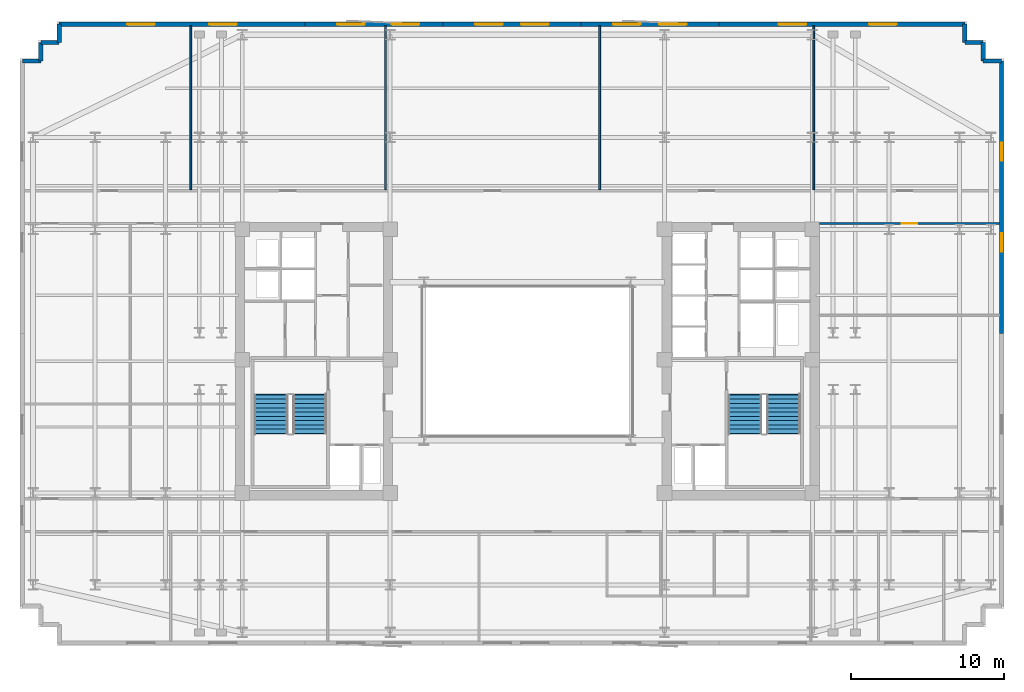
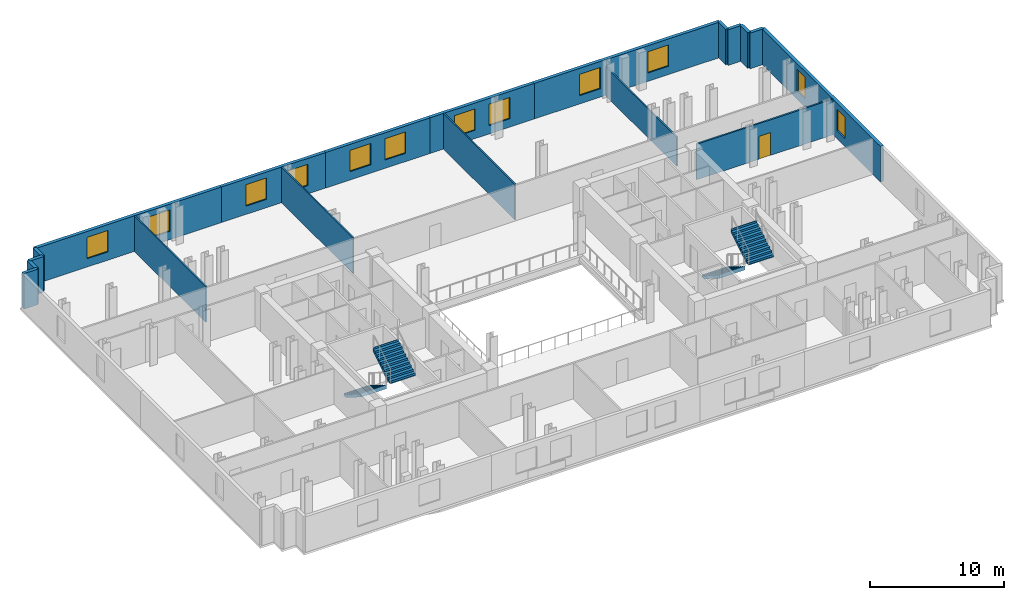
# One storey, part 7 of 9: 19 walls, 12 windows, 4 stair flights, 1 door, 13 openings, 2 elements without a shape of their own.
"""IFC4 building model written with IfcOpenShell, lengths in metres."""

from ifc_helpers import new_model, si_unit, direction, frame, frame_2d, origin, place, context, subcontext, project, spatial, polyline, rectangle, outline, extrude, material, layer, layer_set, type_object, element, fill, aggregate, save


model = new_model("IFC4")

# Units and contexts
model_context = context("Model", 3, precision=1e-05, world=origin(), true_north=direction((0.0, 1.0)))
body_context = subcontext(model_context, "Body", "Model", "MODEL_VIEW")
ifc_project = project(units=[si_unit("LENGTHUNIT", "METRE"), si_unit("AREAUNIT", "SQUARE_METRE"), si_unit("VOLUMEUNIT", "CUBIC_METRE"), si_unit("PLANEANGLEUNIT", "RADIAN"), si_unit("MASSUNIT", "GRAM", prefix="KILO")], contexts=[model_context])

# Site, building, storey
site_placement = place(None, origin())
site = spatial("IfcSite", under=ifc_project, at=site_placement, CompositionType="ELEMENT")
building_placement = place(site_placement, origin())
building = spatial("IfcBuilding", under=site, at=building_placement, Name="Velakula Bourse", CompositionType="ELEMENT")
storey_placement = place(building_placement, frame((0.0, 0.0, 138.10009765625)))
storey = spatial("IfcBuildingStorey", under=building, at=storey_placement, Name="L37", CompositionType="ELEMENT", Elevation=138.10009765625)

# Wall, openings, windows
ifc_material_1 = material(Name="Red kilned clay facing brick masonry", Category="masonry")
ifc_layer_1 = layer(ifc_material_1, 0.280029296875, Name="Red kilned clay facing brick masonry", Category="masonry")
ifc_layer_set_1 = layer_set([ifc_layer_1], Name="Red kilned clay facing brick masonry")
wall_type_1 = type_object("IfcWallType", Name="WL-EXT-BRK-280", PredefinedType="STANDARD", material=ifc_layer_set_1)
wall_1_placement = place(storey_placement, frame((-30.5400390625, 21.989990234375, 0.0), z_axis=(0.0, 0.0, 1.0), x_axis=(1.0, 0.0, 0.0)))
wall_1 = element("IfcWall", 1, at=wall_1_placement, inside=storey, type_object=wall_type_1, Name="L37 N Brick Spandrel Wall B1", PredefinedType="STANDARD", context=body_context, shape_type="SweptSolid", body=[
    extrude(rectangle(XDim=16.0400390625, YDim=0.280029296875, at=frame_2d((8.02001953125, 0.0))), origin(), (0.0, 0.0, 1.0), 3.25),
])
opening_1_placement = place(wall_1_placement, frame((4.44677734375, 0.0, 0.760009765625)))
opening_1 = element("IfcOpeningElement", 2, at=opening_1_placement, cuts=wall_1, Name="Opening W-01", PredefinedType="OPENING", context=body_context, shape_type="SweptSolid", body=[
    extrude(rectangle(XDim=1.800048828125, YDim=1.949951171875, at=frame_2d((0.89990234375, 0.97509765625))), frame((0.0, 0.14990234375, 0.0), z_axis=(0.0, -1.0, 0.0), x_axis=(1.0, 0.0, 0.0)), (0.0, 0.0, 1.0), 0.300048828125),
])
opening_2_placement = place(wall_1_placement, frame((9.793212890625, 0.0, 0.760009765625)))
opening_2 = element("IfcOpeningElement", 3, at=opening_2_placement, cuts=wall_1, Name="Opening W-01", PredefinedType="OPENING", context=body_context, shape_type="SweptSolid", body=[
    extrude(rectangle(XDim=1.800048828125, YDim=1.949951171875, at=frame_2d((0.89990234375, 0.97509765625))), frame((0.0, 0.14990234375, 0.0), z_axis=(0.0, -1.0, 0.0), x_axis=(1.0, 0.0, 0.0)), (0.0, 0.0, 1.0), 0.300048828125),
])
ifc_material_2 = material(Name="Double-glazed solar-control Low-E glass", Category="glass")
window_type_1 = type_object("IfcWindowType", Name="WIN-TWR-1800x2100", PartitioningType="SINGLE_PANEL", PredefinedType="WINDOW", material=ifc_material_2)
window_1_placement = place(opening_1_placement, origin())
window_1 = element("IfcWindow", 4, at=window_1_placement, inside=storey, type_object=window_type_1, Name="L37 Deep-Set Recessed Window 1", OverallHeight=1.949951171875, OverallWidth=1.800048828125, PartitioningType="SINGLE_PANEL", PredefinedType="WINDOW", context=body_context, shape_type="SweptSolid", body=[
    extrude(rectangle(XDim=1.800048828125, YDim=1.949951171875, at=frame_2d((0.89990234375, 0.97509765625))), frame((0.0, 0.030029296875, 0.0), z_axis=(0.0, -1.0, 0.0), x_axis=(1.0, 0.0, 0.0)), (0.0, 0.0, 1.0), 0.06005859375),
])
fill(opening_1, window_1)
window_2_placement = place(opening_2_placement, origin())
window_2 = element("IfcWindow", 5, at=window_2_placement, inside=storey, type_object=window_type_1, Name="L37 Deep-Set Recessed Window 2", OverallHeight=1.949951171875, OverallWidth=1.800048828125, PartitioningType="SINGLE_PANEL", PredefinedType="WINDOW", context=body_context, shape_type="SweptSolid", body=[
    extrude(rectangle(XDim=1.800048828125, YDim=1.949951171875, at=frame_2d((0.89990234375, 0.97509765625))), frame((0.0, 0.030029296875, 0.0), z_axis=(0.0, -1.0, 0.0), x_axis=(1.0, 0.0, 0.0)), (0.0, 0.0, 1.0), 0.06005859375),
])
fill(opening_2, window_2)

wall_2_placement = place(storey_placement, frame((-14.5, 21.989990234375, 0.0), z_axis=(0.0, 0.0, 1.0), x_axis=(1.0, 0.0, 0.0)))
wall_2 = element("IfcWall", 6, at=wall_2_placement, inside=storey, type_object=wall_type_1, Name="L37 N Brick Spandrel Wall B2", PredefinedType="STANDARD", context=body_context, shape_type="SweptSolid", body=[
    extrude(rectangle(XDim=9.0, YDim=0.280029296875, at=frame_2d((4.5, 0.0))), origin(), (0.0, 0.0, 1.0), 3.25),
])
opening_3_placement = place(wall_2_placement, frame((2.10009765625, 0.0, 0.760009765625)))
opening_3 = element("IfcOpeningElement", 7, at=opening_3_placement, cuts=wall_2, Name="Opening W-01", PredefinedType="OPENING", context=body_context, shape_type="SweptSolid", body=[
    extrude(rectangle(XDim=1.800048828125, YDim=1.949951171875, at=frame_2d((0.89990234375, 0.97509765625))), frame((0.0, 0.14990234375, 0.0), z_axis=(0.0, -1.0, 0.0), x_axis=(1.0, 0.0, 0.0)), (0.0, 0.0, 1.0), 0.300048828125),
])
opening_4_placement = place(wall_2_placement, frame((5.64990234375, 0.0, 0.760009765625)))
opening_4 = element("IfcOpeningElement", 8, at=opening_4_placement, cuts=wall_2, Name="Opening W-01", PredefinedType="OPENING", context=body_context, shape_type="SweptSolid", body=[
    extrude(rectangle(XDim=1.800048828125, YDim=1.949951171875, at=frame_2d((0.89990234375, 0.97509765625))), frame((0.0, 0.14990234375, 0.0), z_axis=(0.0, -1.0, 0.0), x_axis=(1.0, 0.0, 0.0)), (0.0, 0.0, 1.0), 0.300048828125),
])
window_3_placement = place(opening_3_placement, origin())
window_3 = element("IfcWindow", 9, at=window_3_placement, inside=storey, type_object=window_type_1, Name="L37 Deep-Set Recessed Window 1", OverallHeight=1.949951171875, OverallWidth=1.800048828125, PartitioningType="SINGLE_PANEL", PredefinedType="WINDOW", context=body_context, shape_type="SweptSolid", body=[
    extrude(rectangle(XDim=1.800048828125, YDim=1.949951171875, at=frame_2d((0.89990234375, 0.97509765625))), frame((0.0, 0.030029296875, 0.0), z_axis=(0.0, -1.0, 0.0), x_axis=(1.0, 0.0, 0.0)), (0.0, 0.0, 1.0), 0.06005859375),
])
fill(opening_3, window_3)
window_4_placement = place(opening_4_placement, origin())
window_4 = element("IfcWindow", 10, at=window_4_placement, inside=storey, type_object=window_type_1, Name="L37 Deep-Set Recessed Window 2", OverallHeight=1.949951171875, OverallWidth=1.800048828125, PartitioningType="SINGLE_PANEL", PredefinedType="WINDOW", context=body_context, shape_type="SweptSolid", body=[
    extrude(rectangle(XDim=1.800048828125, YDim=1.949951171875, at=frame_2d((0.89990234375, 0.97509765625))), frame((0.0, 0.030029296875, 0.0), z_axis=(0.0, -1.0, 0.0), x_axis=(1.0, 0.0, 0.0)), (0.0, 0.0, 1.0), 0.06005859375),
])
fill(opening_4, window_4)

wall_3_placement = place(storey_placement, frame((-5.5, 21.989990234375, 0.0), z_axis=(0.0, 0.0, 1.0), x_axis=(1.0, 0.0, 0.0)))
wall_3 = element("IfcWall", 11, at=wall_3_placement, inside=storey, type_object=wall_type_1, Name="L37 N Brick Spandrel Wall B3", PredefinedType="STANDARD", context=body_context, shape_type="SweptSolid", body=[
    extrude(rectangle(XDim=9.0, YDim=0.280029296875, at=frame_2d((4.5, 0.0))), origin(), (0.0, 0.0, 1.0), 3.25),
])
opening_5_placement = place(wall_3_placement, frame((2.10009765625, 0.0, 0.760009765625)))
opening_5 = element("IfcOpeningElement", 12, at=opening_5_placement, cuts=wall_3, Name="Opening W-01", PredefinedType="OPENING", context=body_context, shape_type="SweptSolid", body=[
    extrude(rectangle(XDim=1.800048828125, YDim=1.949951171875, at=frame_2d((0.89990234375, 0.97509765625))), frame((0.0, 0.14990234375, 0.0), z_axis=(0.0, -1.0, 0.0), x_axis=(1.0, 0.0, 0.0)), (0.0, 0.0, 1.0), 0.300048828125),
])
opening_6_placement = place(wall_3_placement, frame((5.10009765625, 0.0, 0.760009765625)))
opening_6 = element("IfcOpeningElement", 13, at=opening_6_placement, cuts=wall_3, Name="Opening W-01", PredefinedType="OPENING", context=body_context, shape_type="SweptSolid", body=[
    extrude(rectangle(XDim=1.800048828125, YDim=1.949951171875, at=frame_2d((0.89990234375, 0.97509765625))), frame((0.0, 0.14990234375, 0.0), z_axis=(0.0, -1.0, 0.0), x_axis=(1.0, 0.0, 0.0)), (0.0, 0.0, 1.0), 0.300048828125),
])
window_5_placement = place(opening_5_placement, origin())
window_5 = element("IfcWindow", 14, at=window_5_placement, inside=storey, type_object=window_type_1, Name="L37 Deep-Set Recessed Window 1", OverallHeight=1.949951171875, OverallWidth=1.800048828125, PartitioningType="SINGLE_PANEL", PredefinedType="WINDOW", context=body_context, shape_type="SweptSolid", body=[
    extrude(rectangle(XDim=1.800048828125, YDim=1.949951171875, at=frame_2d((0.89990234375, 0.97509765625))), frame((0.0, 0.030029296875, 0.0), z_axis=(0.0, -1.0, 0.0), x_axis=(1.0, 0.0, 0.0)), (0.0, 0.0, 1.0), 0.06005859375),
])
fill(opening_5, window_5)
window_6_placement = place(opening_6_placement, origin())
window_6 = element("IfcWindow", 15, at=window_6_placement, inside=storey, type_object=window_type_1, Name="L37 Deep-Set Recessed Window 2", OverallHeight=1.949951171875, OverallWidth=1.800048828125, PartitioningType="SINGLE_PANEL", PredefinedType="WINDOW", context=body_context, shape_type="SweptSolid", body=[
    extrude(rectangle(XDim=1.800048828125, YDim=1.949951171875, at=frame_2d((0.89990234375, 0.97509765625))), frame((0.0, 0.030029296875, 0.0), z_axis=(0.0, -1.0, 0.0), x_axis=(1.0, 0.0, 0.0)), (0.0, 0.0, 1.0), 0.06005859375),
])
fill(opening_6, window_6)

wall_4_placement = place(storey_placement, frame((3.5, 21.989990234375, 0.0), z_axis=(0.0, 0.0, 1.0), x_axis=(1.0, 0.0, 0.0)))
wall_4 = element("IfcWall", 16, at=wall_4_placement, inside=storey, type_object=wall_type_1, Name="L37 N Brick Spandrel Wall B4", PredefinedType="STANDARD", context=body_context, shape_type="SweptSolid", body=[
    extrude(rectangle(XDim=9.0, YDim=0.280029296875, at=frame_2d((4.5, 0.0))), origin(), (0.0, 0.0, 1.0), 3.25),
])
opening_7_placement = place(wall_4_placement, frame((2.10009765625, 0.0, 0.760009765625)))
opening_7 = element("IfcOpeningElement", 17, at=opening_7_placement, cuts=wall_4, Name="Opening W-01", PredefinedType="OPENING", context=body_context, shape_type="SweptSolid", body=[
    extrude(rectangle(XDim=1.800048828125, YDim=1.949951171875, at=frame_2d((0.89990234375, 0.97509765625))), frame((0.0, 0.14990234375, 0.0), z_axis=(0.0, -1.0, 0.0), x_axis=(1.0, 0.0, 0.0)), (0.0, 0.0, 1.0), 0.300048828125),
])
opening_8_placement = place(wall_4_placement, frame((5.10009765625, 0.0, 0.760009765625)))
opening_8 = element("IfcOpeningElement", 18, at=opening_8_placement, cuts=wall_4, Name="Opening W-01", PredefinedType="OPENING", context=body_context, shape_type="SweptSolid", body=[
    extrude(rectangle(XDim=1.800048828125, YDim=1.949951171875, at=frame_2d((0.89990234375, 0.97509765625))), frame((0.0, 0.14990234375, 0.0), z_axis=(0.0, -1.0, 0.0), x_axis=(1.0, 0.0, 0.0)), (0.0, 0.0, 1.0), 0.300048828125),
])
window_7_placement = place(opening_7_placement, origin())
window_7 = element("IfcWindow", 19, at=window_7_placement, inside=storey, type_object=window_type_1, Name="L37 Deep-Set Recessed Window 1", OverallHeight=1.949951171875, OverallWidth=1.800048828125, PartitioningType="SINGLE_PANEL", PredefinedType="WINDOW", context=body_context, shape_type="SweptSolid", body=[
    extrude(rectangle(XDim=1.800048828125, YDim=1.949951171875, at=frame_2d((0.89990234375, 0.97509765625))), frame((0.0, 0.030029296875, 0.0), z_axis=(0.0, -1.0, 0.0), x_axis=(1.0, 0.0, 0.0)), (0.0, 0.0, 1.0), 0.06005859375),
])
fill(opening_7, window_7)
window_8_placement = place(opening_8_placement, origin())
window_8 = element("IfcWindow", 20, at=window_8_placement, inside=storey, type_object=window_type_1, Name="L37 Deep-Set Recessed Window 2", OverallHeight=1.949951171875, OverallWidth=1.800048828125, PartitioningType="SINGLE_PANEL", PredefinedType="WINDOW", context=body_context, shape_type="SweptSolid", body=[
    extrude(rectangle(XDim=1.800048828125, YDim=1.949951171875, at=frame_2d((0.89990234375, 0.97509765625))), frame((0.0, 0.030029296875, 0.0), z_axis=(0.0, -1.0, 0.0), x_axis=(1.0, 0.0, 0.0)), (0.0, 0.0, 1.0), 0.06005859375),
])
fill(opening_8, window_8)

wall_5_placement = place(storey_placement, frame((12.5, 21.989990234375, 0.0), z_axis=(0.0, 0.0, 1.0), x_axis=(1.0, 0.0, 0.0)))
wall_5 = element("IfcWall", 21, at=wall_5_placement, inside=storey, type_object=wall_type_1, Name="L37 N Brick Spandrel Wall B5", PredefinedType="STANDARD", context=body_context, shape_type="SweptSolid", body=[
    extrude(rectangle(XDim=16.0400390625, YDim=0.280029296875, at=frame_2d((8.02001953125, 0.0))), origin(), (0.0, 0.0, 1.0), 3.25),
])
opening_9_placement = place(wall_5_placement, frame((3.896728515625, 0.0, 0.760009765625)))
opening_9 = element("IfcOpeningElement", 22, at=opening_9_placement, cuts=wall_5, Name="Opening W-01", PredefinedType="OPENING", context=body_context, shape_type="SweptSolid", body=[
    extrude(rectangle(XDim=1.800048828125, YDim=1.949951171875, at=frame_2d((0.89990234375, 0.97509765625))), frame((0.0, 0.14990234375, 0.0), z_axis=(0.0, -1.0, 0.0), x_axis=(1.0, 0.0, 0.0)), (0.0, 0.0, 1.0), 0.300048828125),
])
opening_10_placement = place(wall_5_placement, frame((9.793212890625, 0.0, 0.760009765625)))
opening_10 = element("IfcOpeningElement", 23, at=opening_10_placement, cuts=wall_5, Name="Opening W-01", PredefinedType="OPENING", context=body_context, shape_type="SweptSolid", body=[
    extrude(rectangle(XDim=1.800048828125, YDim=1.949951171875, at=frame_2d((0.89990234375, 0.97509765625))), frame((0.0, 0.14990234375, 0.0), z_axis=(0.0, -1.0, 0.0), x_axis=(1.0, 0.0, 0.0)), (0.0, 0.0, 1.0), 0.300048828125),
])
window_9_placement = place(opening_9_placement, origin())
window_9 = element("IfcWindow", 24, at=window_9_placement, inside=storey, type_object=window_type_1, Name="L37 Deep-Set Recessed Window 1", OverallHeight=1.949951171875, OverallWidth=1.800048828125, PartitioningType="SINGLE_PANEL", PredefinedType="WINDOW", context=body_context, shape_type="SweptSolid", body=[
    extrude(rectangle(XDim=1.800048828125, YDim=1.949951171875, at=frame_2d((0.89990234375, 0.97509765625))), frame((0.0, 0.030029296875, 0.0), z_axis=(0.0, -1.0, 0.0), x_axis=(1.0, 0.0, 0.0)), (0.0, 0.0, 1.0), 0.06005859375),
])
fill(opening_9, window_9)
window_10_placement = place(opening_10_placement, origin())
window_10 = element("IfcWindow", 25, at=window_10_placement, inside=storey, type_object=window_type_1, Name="L37 Deep-Set Recessed Window 2", OverallHeight=1.949951171875, OverallWidth=1.800048828125, PartitioningType="SINGLE_PANEL", PredefinedType="WINDOW", context=body_context, shape_type="SweptSolid", body=[
    extrude(rectangle(XDim=1.800048828125, YDim=1.949951171875, at=frame_2d((0.89990234375, 0.97509765625))), frame((0.0, 0.030029296875, 0.0), z_axis=(0.0, -1.0, 0.0), x_axis=(1.0, 0.0, 0.0)), (0.0, 0.0, 1.0), 0.06005859375),
])
fill(opening_10, window_10)

wall_6_placement = place(storey_placement, frame((30.93994140625, 19.590087890625, 0.0), z_axis=(0.0, 0.0, 1.0), x_axis=(0.0, -1.0, 0.0)))
wall_6 = element("IfcWall", 26, at=wall_6_placement, inside=storey, type_object=wall_type_1, Name="L37 E Brick End Wall W2", PredefinedType="STANDARD", context=body_context, shape_type="SweptSolid", body=[
    extrude(rectangle(XDim=17.7900390625, YDim=0.280029296875, at=frame_2d((8.89501953125, 0.0))), origin(), (0.0, 0.0, 1.0), 3.25),
])
opening_11_placement = place(wall_6_placement, frame((5.330078125, 0.0, 0.760009765625)))
opening_11 = element("IfcOpeningElement", 27, at=opening_11_placement, cuts=wall_6, Name="Opening W-04", PredefinedType="OPENING", context=body_context, shape_type="SweptSolid", body=[
    extrude(rectangle(XDim=1.199951171875, YDim=1.949951171875, at=frame_2d((0.60009765625, 0.97509765625))), frame((0.0, 0.14990234375, 0.0), z_axis=(0.0, -1.0, 0.0), x_axis=(1.0, 0.0, 0.0)), (0.0, 0.0, 1.0), 0.300048828125),
])
opening_12_placement = place(wall_6_placement, frame((11.260009765625, 0.0, 0.760009765625)))
opening_12 = element("IfcOpeningElement", 28, at=opening_12_placement, cuts=wall_6, Name="Opening W-04", PredefinedType="OPENING", context=body_context, shape_type="SweptSolid", body=[
    extrude(rectangle(XDim=1.199951171875, YDim=1.949951171875, at=frame_2d((0.60009765625, 0.97509765625))), frame((0.0, 0.14990234375, 0.0), z_axis=(0.0, -1.0, 0.0), x_axis=(1.0, 0.0, 0.0)), (0.0, 0.0, 1.0), 0.300048828125),
])
window_type_2 = type_object("IfcWindowType", Name="WIN-TWR-1200x2100", PartitioningType="SINGLE_PANEL", PredefinedType="WINDOW", material=ifc_material_2)
window_11_placement = place(opening_11_placement, origin())
window_11 = element("IfcWindow", 29, at=window_11_placement, inside=storey, type_object=window_type_2, Name="L37 Deep-Set Recessed Window 1", OverallHeight=1.949951171875, OverallWidth=1.199951171875, PartitioningType="SINGLE_PANEL", PredefinedType="WINDOW", context=body_context, shape_type="SweptSolid", body=[
    extrude(rectangle(XDim=1.199951171875, YDim=1.949951171875, at=frame_2d((0.60009765625, 0.97509765625))), frame((0.0, 0.030029296875, 0.0), z_axis=(0.0, -1.0, 0.0), x_axis=(1.0, 0.0, 0.0)), (0.0, 0.0, 1.0), 0.06005859375),
])
fill(opening_11, window_11)
window_12_placement = place(opening_12_placement, origin())
window_12 = element("IfcWindow", 30, at=window_12_placement, inside=storey, type_object=window_type_2, Name="L37 Deep-Set Recessed Window 2", OverallHeight=1.949951171875, OverallWidth=1.199951171875, PartitioningType="SINGLE_PANEL", PredefinedType="WINDOW", context=body_context, shape_type="SweptSolid", body=[
    extrude(rectangle(XDim=1.199951171875, YDim=1.949951171875, at=frame_2d((0.60009765625, 0.97509765625))), frame((0.0, 0.030029296875, 0.0), z_axis=(0.0, -1.0, 0.0), x_axis=(1.0, 0.0, 0.0)), (0.0, 0.0, 1.0), 0.06005859375),
])
fill(opening_12, window_12)

# Walls
for number, where, z_axis, x_axis, name in (
    (31, (30.93994140625, 19.590087890625, 0.0), (0.0, 0.0, 1.0), (-1.0, 0.0, 0.0), "L37 Serrated Corner Brick Wall NE-1"),
    (32, (29.739990234375, 19.590087890625, 0.0), (0.0, 0.0, 1.0), (0.0, 1.0, 0.0), "L37 Serrated Corner Brick Wall NE-2"),
    (33, (29.739990234375, 20.7900390625, 0.0), (0.0, 0.0, 1.0), (-1.0, 0.0, 0.0), "L37 Serrated Corner Brick Wall NE-3"),
    (34, (28.5400390625, 20.7900390625, 0.0), (0.0, 0.0, 1.0), (0.0, 1.0, 0.0), "L37 Serrated Corner Brick Wall NE-4"),
    (35, (-30.5400390625, 21.989990234375, 0.0), (0.0, 0.0, 1.0), (0.0, -1.0, 0.0), "L37 Serrated Corner Brick Wall NW-1"),
    (36, (-30.5400390625, 20.7900390625, 0.0), (0.0, 0.0, 1.0), (-1.0, 0.0, 0.0), "L37 Serrated Corner Brick Wall NW-2"),
    (37, (-31.739990234375, 20.7900390625, 0.0), (0.0, 0.0, 1.0), (0.0, -1.0, 0.0), "L37 Serrated Corner Brick Wall NW-3"),
    (38, (-31.739990234375, 19.590087890625, 0.0), (0.0, 0.0, 1.0), (-1.0, 0.0, 0.0), "L37 Serrated Corner Brick Wall NW-4"),
):
    element("IfcWall", number, at=place(storey_placement, frame(where, z_axis=z_axis, x_axis=x_axis)), inside=storey, type_object=wall_type_1, Name=name, PredefinedType="STANDARD", context=body_context, shape_type="SweptSolid", body=[
        extrude(rectangle(XDim=1.199951171875, YDim=0.280029296875, at=frame_2d((0.60009765625, 0.0))), origin(), (0.0, 0.0, 1.0), 3.25),
    ])
ifc_material_3 = material(Name="Fire-rated double-layer gypsum drywall partition", Category="gypsum")
ifc_layer_2 = layer(ifc_material_3, 0.1201171875, Name="Fire-rated double-layer gypsum drywall partition", Category="gypsum")
ifc_layer_set_2 = layer_set([ifc_layer_2], Name="Fire-rated double-layer gypsum drywall partition")
wall_type_2 = type_object("IfcWallType", Name="WL-PART-120", PredefinedType="STANDARD", material=ifc_layer_set_2)
for number, where, z_axis, x_axis, name in (
    (39, (-21.9619140625, 11.18994140625, 0.0), (0.0, 0.0, 1.0), (0.0, 1.0, 0.0), "L37 Interior Partition WL-INT-L37-N-D1"),
    (40, (-9.258056640625, 11.18994140625, 0.0), (0.0, 0.0, 1.0), (0.0, 1.0, 0.0), "L37 Interior Partition WL-INT-L37-N-D2"),
    (41, (4.717041015625, 11.18994140625, 0.0), (0.0, 0.0, 1.0), (0.0, 1.0, 0.0), "L37 Interior Partition WL-INT-L37-N-D3"),
):
    element("IfcWall", number, at=place(storey_placement, frame(where, z_axis=z_axis, x_axis=x_axis)), inside=storey, type_object=wall_type_2, Name=name, PredefinedType="STANDARD", context=body_context, shape_type="SweptSolid", body=[
        extrude(rectangle(XDim=10.68017578125, YDim=0.1201171875, at=frame_2d((5.340087890625, 0.0))), origin(), (0.0, 0.0, 1.0), 3.25),
    ])
wall_7_placement = place(storey_placement, frame((18.69091796875, 11.18994140625, 0.0), z_axis=(0.0, 0.0, 1.0), x_axis=(0.0, 1.0, 0.0)))
element("IfcWall", 42, at=wall_7_placement, inside=storey, type_object=wall_type_2, Name="L37 Interior Partition WL-INT-L37-N-D4", PredefinedType="STANDARD", context=body_context, shape_type="SweptSolid", body=[
    extrude(rectangle(XDim=10.68017578125, YDim=0.1201171875, at=frame_2d((5.340087890625, 0.0))), origin(), (0.0, 0.0, 1.0), 2.64501953125),
])

# Wall, opening, door
ifc_layer_3 = layer(ifc_material_3, 0.139892578125, Name="Fire-rated double-layer gypsum drywall partition", Category="gypsum")
ifc_layer_set_3 = layer_set([ifc_layer_3], Name="Fire-rated double-layer gypsum drywall partition")
wall_type_3 = type_object("IfcWallType", Name="WL-PART-140", PredefinedType="STANDARD", material=ifc_layer_set_3)
wall_8_placement = place(storey_placement, frame((19.050048828125, 8.97998046875, 0.0), z_axis=(0.0, 0.0, 1.0), x_axis=(1.0, 0.0, 0.0)))
wall_8 = element("IfcWall", 43, at=wall_8_placement, inside=storey, type_object=wall_type_3, Name="L37 Interior Partition WL-INT-L37-E-NC", PredefinedType="STANDARD", context=body_context, shape_type="SweptSolid", body=[
    extrude(rectangle(XDim=11.77001953125, YDim=0.139892578125, at=frame_2d((5.885009765625, 0.0))), origin(), (0.0, 0.0, 1.0), 3.25),
])
opening_13_placement = place(wall_8_placement, frame((5.385009765625, 0.0, 0.0)))
opening_13 = element("IfcOpeningElement", 44, at=opening_13_placement, cuts=wall_8, Name="Opening D-OF1", PredefinedType="OPENING", context=body_context, shape_type="SweptSolid", body=[
    extrude(rectangle(XDim=1.0, YDim=2.080078125, at=frame_2d((0.5, 1.0400390625))), frame((0.0, 0.079833984375, 0.0), z_axis=(0.0, -1.0, 0.0), x_axis=(1.0, 0.0, 0.0)), (0.0, 0.0, 1.0), 0.159912109375),
])
ifc_material_4 = material(Name="Fire-rated hardwood flush architectural door", Category="wood")
door_type = type_object("IfcDoorType", Name="DR-OFF-1000", OperationType="NOTDEFINED", PredefinedType="DOOR", material=ifc_material_4)
door_placement = place(opening_13_placement, origin())
door = element("IfcDoor", 45, at=door_placement, inside=storey, type_object=door_type, Name="L37 Issuer Relations Office Door", OperationType="SINGLE_SWING_LEFT", OverallHeight=2.080078125, OverallWidth=1.0, PredefinedType="DOOR", context=body_context, shape_type="SweptSolid", body=[
    extrude(rectangle(XDim=1.0, YDim=2.080078125, at=frame_2d((0.5, 1.0400390625))), frame((0.0, 0.02490234375, 0.0), z_axis=(0.0, -1.0, 0.0), x_axis=(1.0, 0.0, 0.0)), (0.0, 0.0, 1.0), 0.050048828125),
])
fill(opening_13, door)

# Stair, stair flights
ifc_material_5 = material(Name="Concrete M45 (fck 45 MPa)", Category="concrete")
stair_type = type_object("IfcStairType", Name="STR-DOG-390", PredefinedType="HALF_TURN_STAIR", material=ifc_material_5)
stair_1_placement = place(storey_placement, origin())
stair_1 = element("IfcStair", 46, at=stair_1_placement, inside=storey, type_object=stair_type, Name="L37 West Core Exit Stair ST-W1", PredefinedType="HALF_TURN_STAIR")
ifc_layer_4 = layer(ifc_material_5, 0.195068359375, Name="Concrete M45 (fck 45 MPa)", Category="concrete")
ifc_layer_set_4 = layer_set([ifc_layer_4], Name="Concrete M45 (fck 45 MPa)")
stair_flight_type = type_object("IfcStairFlightType", Name="FLT-DOG-390", PredefinedType="STRAIGHT", material=ifc_layer_set_4)
stair_flight_1_placement = place(storey_placement, frame((-16.720947265625, -2.199951171875, 0.0), z_axis=(0.0, 0.0, 1.0), x_axis=(0.0, -1.0, 0.0)))
stair_flight_1 = element("IfcStairFlight", 47, at=stair_flight_1_placement, type_object=stair_flight_type, Name="ST-W1 flight 1", NumberOfRisers=10, NumberOfTreads=9, PredefinedType="STRAIGHT", RiserHeight=0.1725, TreadLength=0.28, context=body_context, shape_type="SweptSolid", body=[
    extrude(outline(polyline([(-0.044921875, -0.0400390625), (-0.044921875, -0.036865234375), (-0.044921875, -0.033935546875), (-0.044921875, -0.03076171875), (-0.044921875, -0.027587890625), (-0.044921875, -0.024658203125), (-0.044921875, -0.021484375), (-0.044921875, -0.0185546875), (-0.044921875, -0.015380859375), (-0.044921875, -0.01220703125), (-0.044921875, -0.00927734375), (-0.044921875, -0.006103515625), (-0.044921875, -0.003173828125), (-0.044921875, 0.0), (0.0, 0.0), (0.0, 0.172607421875), (0.280029296875, 0.172607421875), (0.280029296875, 0.344970703125), (0.56005859375, 0.344970703125), (0.56005859375, 0.517578125), (0.840087890625, 0.517578125), (0.840087890625, 0.68994140625), (1.1201171875, 0.68994140625), (1.1201171875, 0.862548828125), (1.39990234375, 0.862548828125), (1.39990234375, 1.034912109375), (1.679931640625, 1.034912109375), (1.679931640625, 1.20751953125), (1.9599609375, 1.20751953125), (1.9599609375, 1.3798828125), (2.239990234375, 1.3798828125), (2.239990234375, 1.552490234375), (2.52001953125, 1.552490234375), (2.52001953125, 1.72509765625), (2.56494140625, 1.72509765625), (2.56494140625, 1.7001953125), (2.56494140625, 1.67529296875), (2.56494140625, 1.650390625), (2.56494140625, 1.62548828125), (2.56494140625, 1.6005859375), (2.56494140625, 1.57568359375), (2.56494140625, 1.55078125), (2.56494140625, 1.52587890625), (2.56494140625, 1.5009765625), (2.56494140625, 1.47607421875), (2.56494140625, 1.451171875), (2.56494140625, 1.42626953125), (2.56494140625, 1.4013671875), (2.56494140625, 1.37646484375), (0.285888671875, -0.0400390625), (-0.044921875, -0.0400390625)])), frame((0.0, 1.09912109375, 0.0), z_axis=(0.0, -1.0, 0.0), x_axis=(1.0, 0.0, 0.0)), (0.0, 0.0, 1.0), 2.197998046875),
])
stair_flight_2_placement = place(storey_placement, frame((-14.198974609375, -4.719970703125, 1.724853515625), z_axis=(0.0, 0.0, 1.0), x_axis=(0.0, 1.0, 0.0)))
stair_flight_2 = element("IfcStairFlight", 48, at=stair_flight_2_placement, type_object=stair_flight_type, Name="ST-W1 flight 2", NumberOfRisers=10, NumberOfTreads=9, PredefinedType="STRAIGHT", RiserHeight=0.1725, TreadLength=0.28, context=body_context, shape_type="SweptSolid", body=[
    extrude(outline(polyline([(-0.044921875, -0.0400390625), (-0.044921875, -0.036865234375), (-0.044921875, -0.033935546875), (-0.044921875, -0.03076171875), (-0.044921875, -0.027587890625), (-0.044921875, -0.024658203125), (-0.044921875, -0.021484375), (-0.044921875, -0.0185546875), (-0.044921875, -0.015380859375), (-0.044921875, -0.01220703125), (-0.044921875, -0.00927734375), (-0.044921875, -0.006103515625), (-0.044921875, -0.003173828125), (-0.044921875, 0.0), (0.0, 0.0), (0.0, 0.172607421875), (0.280029296875, 0.172607421875), (0.280029296875, 0.344970703125), (0.56005859375, 0.344970703125), (0.56005859375, 0.517578125), (0.840087890625, 0.517578125), (0.840087890625, 0.68994140625), (1.1201171875, 0.68994140625), (1.1201171875, 0.862548828125), (1.39990234375, 0.862548828125), (1.39990234375, 1.034912109375), (1.679931640625, 1.034912109375), (1.679931640625, 1.20751953125), (1.9599609375, 1.20751953125), (1.9599609375, 1.3798828125), (2.239990234375, 1.3798828125), (2.239990234375, 1.552490234375), (2.52001953125, 1.552490234375), (2.52001953125, 1.72509765625), (2.56494140625, 1.72509765625), (2.56494140625, 1.7001953125), (2.56494140625, 1.67529296875), (2.56494140625, 1.650390625), (2.56494140625, 1.62548828125), (2.56494140625, 1.6005859375), (2.56494140625, 1.57568359375), (2.56494140625, 1.55078125), (2.56494140625, 1.52587890625), (2.56494140625, 1.5009765625), (2.56494140625, 1.47607421875), (2.56494140625, 1.451171875), (2.56494140625, 1.42626953125), (2.56494140625, 1.4013671875), (2.56494140625, 1.37646484375), (0.285888671875, -0.0400390625), (-0.044921875, -0.0400390625)])), frame((0.0, 1.09912109375, 0.0), z_axis=(0.0, -1.0, 0.0), x_axis=(1.0, 0.0, 0.0)), (0.0, 0.0, 1.0), 2.197998046875),
])
aggregate(stair_1, [stair_flight_1, stair_flight_2])

stair_2_placement = place(storey_placement, origin())
stair_2 = element("IfcStair", 49, at=stair_2_placement, inside=storey, type_object=stair_type, Name="L37 East Core Exit Stair ST-E1", PredefinedType="HALF_TURN_STAIR")
stair_flight_3_placement = place(storey_placement, frame((14.198974609375, -2.199951171875, 0.0), z_axis=(0.0, 0.0, 1.0), x_axis=(0.0, -1.0, 0.0)))
stair_flight_3 = element("IfcStairFlight", 50, at=stair_flight_3_placement, type_object=stair_flight_type, Name="ST-E1 flight 1", NumberOfRisers=10, NumberOfTreads=9, PredefinedType="STRAIGHT", RiserHeight=0.1725, TreadLength=0.28, context=body_context, shape_type="SweptSolid", body=[
    extrude(outline(polyline([(-0.044921875, -0.0400390625), (-0.044921875, -0.036865234375), (-0.044921875, -0.033935546875), (-0.044921875, -0.03076171875), (-0.044921875, -0.027587890625), (-0.044921875, -0.024658203125), (-0.044921875, -0.021484375), (-0.044921875, -0.0185546875), (-0.044921875, -0.015380859375), (-0.044921875, -0.01220703125), (-0.044921875, -0.00927734375), (-0.044921875, -0.006103515625), (-0.044921875, -0.003173828125), (-0.044921875, 0.0), (0.0, 0.0), (0.0, 0.172607421875), (0.280029296875, 0.172607421875), (0.280029296875, 0.344970703125), (0.56005859375, 0.344970703125), (0.56005859375, 0.517578125), (0.840087890625, 0.517578125), (0.840087890625, 0.68994140625), (1.1201171875, 0.68994140625), (1.1201171875, 0.862548828125), (1.39990234375, 0.862548828125), (1.39990234375, 1.034912109375), (1.679931640625, 1.034912109375), (1.679931640625, 1.20751953125), (1.9599609375, 1.20751953125), (1.9599609375, 1.3798828125), (2.239990234375, 1.3798828125), (2.239990234375, 1.552490234375), (2.52001953125, 1.552490234375), (2.52001953125, 1.72509765625), (2.56494140625, 1.72509765625), (2.56494140625, 1.7001953125), (2.56494140625, 1.67529296875), (2.56494140625, 1.650390625), (2.56494140625, 1.62548828125), (2.56494140625, 1.6005859375), (2.56494140625, 1.57568359375), (2.56494140625, 1.55078125), (2.56494140625, 1.52587890625), (2.56494140625, 1.5009765625), (2.56494140625, 1.47607421875), (2.56494140625, 1.451171875), (2.56494140625, 1.42626953125), (2.56494140625, 1.4013671875), (2.56494140625, 1.37646484375), (0.285888671875, -0.0400390625), (-0.044921875, -0.0400390625)])), frame((0.0, 1.09912109375, 0.0), z_axis=(0.0, -1.0, 0.0), x_axis=(1.0, 0.0, 0.0)), (0.0, 0.0, 1.0), 2.197998046875),
])
stair_flight_4_placement = place(storey_placement, frame((16.720947265625, -4.719970703125, 1.724853515625), z_axis=(0.0, 0.0, 1.0), x_axis=(0.0, 1.0, 0.0)))
stair_flight_4 = element("IfcStairFlight", 51, at=stair_flight_4_placement, type_object=stair_flight_type, Name="ST-E1 flight 2", NumberOfRisers=10, NumberOfTreads=9, PredefinedType="STRAIGHT", RiserHeight=0.1725, TreadLength=0.28, context=body_context, shape_type="SweptSolid", body=[
    extrude(outline(polyline([(-0.044921875, -0.0400390625), (-0.044921875, -0.036865234375), (-0.044921875, -0.033935546875), (-0.044921875, -0.03076171875), (-0.044921875, -0.027587890625), (-0.044921875, -0.024658203125), (-0.044921875, -0.021484375), (-0.044921875, -0.0185546875), (-0.044921875, -0.015380859375), (-0.044921875, -0.01220703125), (-0.044921875, -0.00927734375), (-0.044921875, -0.006103515625), (-0.044921875, -0.003173828125), (-0.044921875, 0.0), (0.0, 0.0), (0.0, 0.172607421875), (0.280029296875, 0.172607421875), (0.280029296875, 0.344970703125), (0.56005859375, 0.344970703125), (0.56005859375, 0.517578125), (0.840087890625, 0.517578125), (0.840087890625, 0.68994140625), (1.1201171875, 0.68994140625), (1.1201171875, 0.862548828125), (1.39990234375, 0.862548828125), (1.39990234375, 1.034912109375), (1.679931640625, 1.034912109375), (1.679931640625, 1.20751953125), (1.9599609375, 1.20751953125), (1.9599609375, 1.3798828125), (2.239990234375, 1.3798828125), (2.239990234375, 1.552490234375), (2.52001953125, 1.552490234375), (2.52001953125, 1.72509765625), (2.56494140625, 1.72509765625), (2.56494140625, 1.7001953125), (2.56494140625, 1.67529296875), (2.56494140625, 1.650390625), (2.56494140625, 1.62548828125), (2.56494140625, 1.6005859375), (2.56494140625, 1.57568359375), (2.56494140625, 1.55078125), (2.56494140625, 1.52587890625), (2.56494140625, 1.5009765625), (2.56494140625, 1.47607421875), (2.56494140625, 1.451171875), (2.56494140625, 1.42626953125), (2.56494140625, 1.4013671875), (2.56494140625, 1.37646484375), (0.285888671875, -0.0400390625), (-0.044921875, -0.0400390625)])), frame((0.0, 1.09912109375, 0.0), z_axis=(0.0, -1.0, 0.0), x_axis=(1.0, 0.0, 0.0)), (0.0, 0.0, 1.0), 2.197998046875),
])
aggregate(stair_2, [stair_flight_3, stair_flight_4])

save(model, "model.ifc")
